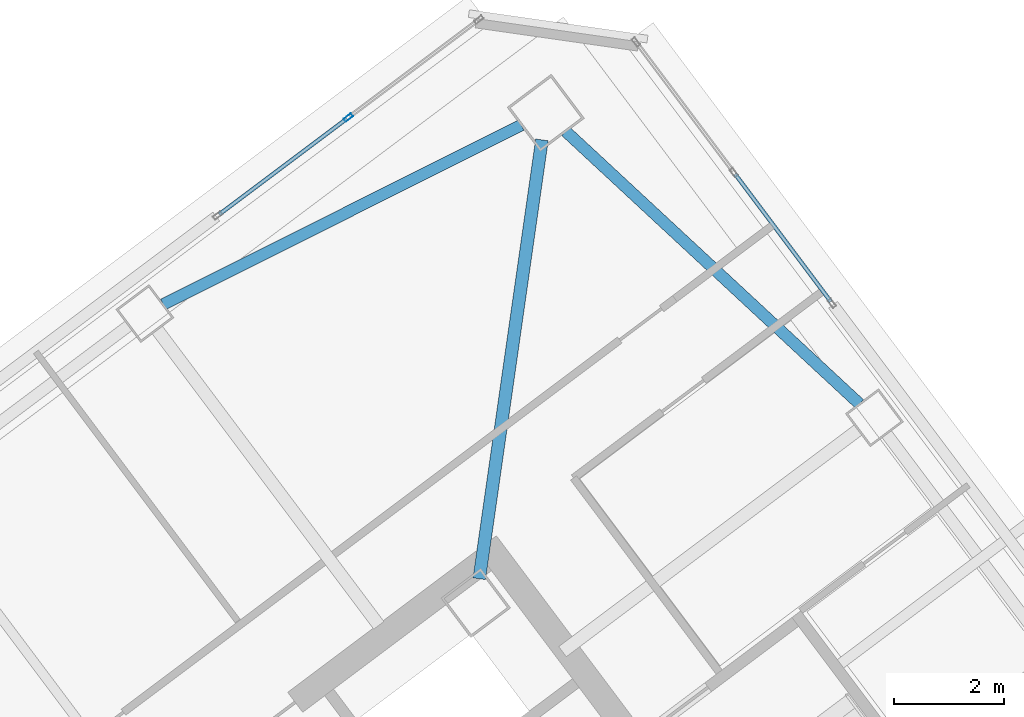
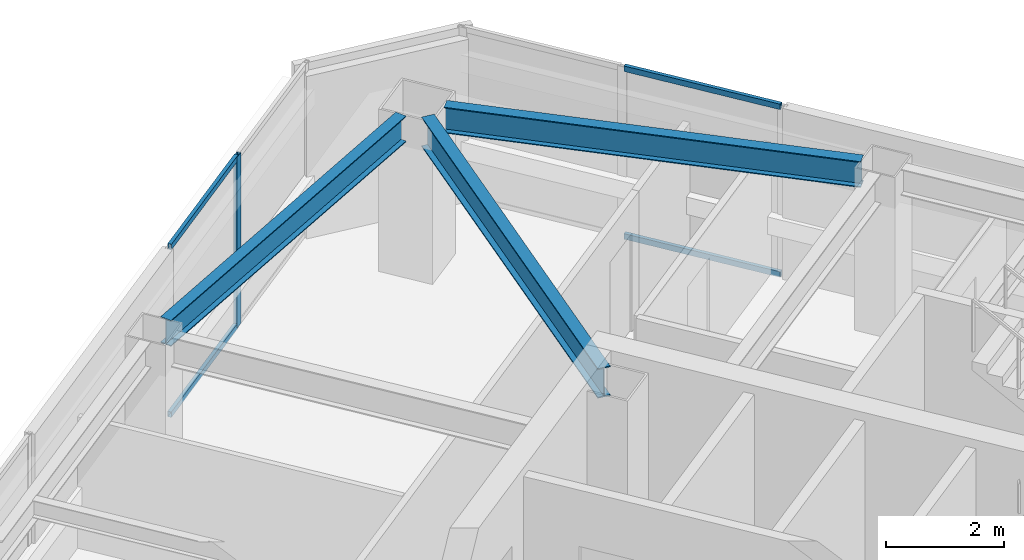
# One storey, part 30 of 44: 5 members, 3 beams, 2 elements without a shape of their own.
"""IFC4 building model written with IfcOpenShell, lengths in metres."""

from ifc_helpers import new_model, si_unit, direction, frame, origin, origin_2d, place, context, subcontext, project, spatial, hollow_rectangle, i_section, extrude, material, material_profile, profile_set, type_object, element, aggregate, save


model = new_model("IFC4")

# Units and contexts
model_context = context("Model", 3, precision=1e-05, world=origin(), true_north=direction((0.0, 1.0)))
body_context = subcontext(model_context, "Body", "Model", "MODEL_VIEW")
ifc_project = project(units=[si_unit("LENGTHUNIT", "METRE"), si_unit("AREAUNIT", "SQUARE_METRE"), si_unit("VOLUMEUNIT", "CUBIC_METRE"), si_unit("PLANEANGLEUNIT", "RADIAN"), si_unit("MASSUNIT", "GRAM", prefix="KILO")], contexts=[model_context])

# Site, building, storey
site_placement = place(None, origin())
site = spatial("IfcSite", under=ifc_project, at=site_placement, CompositionType="ELEMENT")
building_placement = place(site_placement, origin())
building = spatial("IfcBuilding", under=site, at=building_placement, Name="Tashvorn Skyway Center", CompositionType="ELEMENT")
storey_placement = place(building_placement, frame((0.0, 0.0, 211.300048828125)))
storey = spatial("IfcBuildingStorey", under=building, at=storey_placement, Name="L57", CompositionType="ELEMENT", Elevation=211.300048828125)

# Beams
ifc_material_1 = material(Name="Steel ASTM A992 Grade 50", Category="steel")
ifc_material_profile_1 = material_profile(ifc_material_1, i_section(OverallWidth=0.22998046875, OverallDepth=0.616943359375, WebThickness=0.01318359375, FlangeThickness=0.022216796875, at=origin_2d()), Name="W24X94")
ifc_profile_set_1 = profile_set([ifc_material_profile_1], Name="Steel ASTM A992 Grade 50")
beam_type_1 = type_object("IfcBeamType", Name="BM-BEAM-W24X94", PredefinedType="BEAM", material=ifc_profile_set_1)
beam_placement = place(storey_placement, frame((116.610107421875, 50.27001953125, 3.0615234375), z_axis=(-0.141438360399, -0.989947064346, 0.0), x_axis=(0.989947064346, -0.141438360399, 0.0)))
element("IfcBeam", 1, at=beam_placement, inside=storey, type_object=beam_type_1, Name="Tower 2 L57 Primary Floor Girder MC-NE", PredefinedType="BEAM", context=body_context, shape_type="SweptSolid", body=[
    extrude(i_section(OverallWidth=0.22998046875, OverallDepth=0.616943359375, WebThickness=0.01318359375, FlangeThickness=0.022216796875, at=origin_2d()), origin(), (0.0, 0.0, 1.0), 8.040283203125),
])
ifc_material_profile_2 = material_profile(ifc_material_1, i_section(OverallWidth=0.2109375, OverallDepth=0.5390625, WebThickness=0.01171875, FlangeThickness=0.018798828125, at=origin_2d()), Name="W21X73")
ifc_profile_set_2 = profile_set([ifc_material_profile_2], Name="Steel ASTM A992 Grade 50")
beam_type_2 = type_object("IfcBeamType", Name="BM-SPANDREL-W21X73", PredefinedType="SPANDREL", material=ifc_profile_set_2)
for number, where, z_axis, x_axis, name in (
    (2, (122.36865234375, 45.481689453125, 3.100341796875), (-0.733042389989, 0.680182956622, 0.0), (-0.680182956622, -0.733042389989, 0.0), "Tower 2 L57 Spandrel Beam 06"),
    (3, (116.2373046875, 50.538330078125, 3.100341796875), (-0.894178380472, -0.447710870872, 0.0), (0.447710870872, -0.894178380472, 0.0), "Tower 2 L57 Spandrel Beam 07"),
):
    element("IfcBeam", number, at=place(storey_placement, frame(where, z_axis=z_axis, x_axis=x_axis)), inside=storey, type_object=beam_type_2, Name=name, PredefinedType="SPANDREL", context=body_context, shape_type="SweptSolid", body=[
        extrude(i_section(OverallWidth=0.2109375, OverallDepth=0.5390625, WebThickness=0.01171875, FlangeThickness=0.018798828125, at=origin_2d()), origin(), (0.0, 0.0, 1.0), 7.26513671875),
    ])

# Curtain wall, members
ifc_material_2 = material(Name="Thermally broken bronze-anodized aluminium 6063-T6", Category="aluminium")
curtain_wall_type = type_object("IfcCurtainWallType", Name="CW-CW-Z5", PredefinedType="NOTDEFINED", material=ifc_material_2)
curtain_wall_1_placement = place(storey_placement, origin())
curtain_wall_1 = element("IfcCurtainWall", 4, at=curtain_wall_1_placement, inside=storey, type_object=curtain_wall_type, Name="Tower 2 L57 North Unitised Curtain Wall Glazing Group 3", PredefinedType="NOTDEFINED")
ifc_material_profile_3 = material_profile(ifc_material_2, hollow_rectangle(XDim=0.070068359375, YDim=0.1650390625, WallThickness=0.00390625, at=origin_2d()), Name="ALU-MULL-70x165")
ifc_profile_set_3 = profile_set([ifc_material_profile_3], Name="Thermally broken bronze-anodized aluminium 6063-T6")
member_type_1 = type_object("IfcMemberType", Name="CWM-CW-Z5", PredefinedType="MULLION", material=ifc_profile_set_3)
member_1_placement = place(storey_placement, frame((113.099609375, 50.674560546875, 0.0), z_axis=(0.0, 0.0, 1.0), x_axis=(-0.600002670604, 0.79999799704, 0.0)))
member_1 = element("IfcMember", 5, at=member_1_placement, type_object=member_type_1, Name="CW-Z5 mullion 2", PredefinedType="MULLION", context=body_context, shape_type="SweptSolid", body=[
    extrude(hollow_rectangle(XDim=0.070068359375, YDim=0.1650390625, WallThickness=0.00390625, at=origin_2d()), origin(), (0.0, 0.0, 1.0), 3.550048828125),
])
ifc_material_profile_4 = material_profile(ifc_material_2, hollow_rectangle(XDim=0.070068359375, YDim=0.114990234375, WallThickness=0.00390625, at=origin_2d()), Name="ALU-TRAN-70x115")
ifc_profile_set_4 = profile_set([ifc_material_profile_4], Name="Thermally broken bronze-anodized aluminium 6063-T6")
member_type_2 = type_object("IfcMemberType", Name="CWT-CW-Z5", PredefinedType="USERDEFINED", material=ifc_profile_set_4)
member_2_placement = place(storey_placement, frame((110.759033203125, 48.919189453125, 0.034912109375), z_axis=(0.8, 0.6, 0.0), x_axis=(-0.6, 0.8, 0.0)))
member_2 = element("IfcMember", 6, at=member_2_placement, type_object=member_type_2, Name="CW-Z5 transom 1.1", ObjectType="TRANSOM", PredefinedType="USERDEFINED", context=body_context, shape_type="SweptSolid", body=[
    extrude(hollow_rectangle(XDim=0.070068359375, YDim=0.114990234375, WallThickness=0.00390625, at=origin_2d()), origin(), (0.0, 0.0, 1.0), 2.890625),
])
member_3_placement = place(storey_placement, frame((110.759033203125, 48.919189453125, 3.514892578125), z_axis=(0.8, 0.6, 0.0), x_axis=(-0.6, 0.8, 0.0)))
member_3 = element("IfcMember", 7, at=member_3_placement, type_object=member_type_2, Name="CW-Z5 transom 1.2", ObjectType="TRANSOM", PredefinedType="USERDEFINED", context=body_context, shape_type="SweptSolid", body=[
    extrude(hollow_rectangle(XDim=0.070068359375, YDim=0.114990234375, WallThickness=0.00390625, at=origin_2d()), origin(), (0.0, 0.0, 1.0), 2.890625),
])
aggregate(curtain_wall_1, [member_1, member_2, member_3])

curtain_wall_2_placement = place(storey_placement, origin())
curtain_wall_2 = element("IfcCurtainWall", 8, at=curtain_wall_2_placement, inside=storey, type_object=curtain_wall_type, Name="Tower 2 L57 East Unitised Curtain Wall Glazing Group 1", PredefinedType="NOTDEFINED")
member_4_placement = place(storey_placement, frame((120.1142578125, 49.6474609375, 0.034912109375), z_axis=(0.600040542509, -0.799969591513, 0.0), x_axis=(0.799969591513, 0.600040542509, 0.0)))
member_4 = element("IfcMember", 9, at=member_4_placement, type_object=member_type_2, Name="CW-Z5 transom 2.1", ObjectType="TRANSOM", PredefinedType="USERDEFINED", context=body_context, shape_type="SweptSolid", body=[
    extrude(hollow_rectangle(XDim=0.070068359375, YDim=0.114990234375, WallThickness=0.00390625, at=origin_2d()), origin(), (0.0, 0.0, 1.0), 2.890380859375),
])
member_5_placement = place(storey_placement, frame((120.1142578125, 49.6474609375, 3.514892578125), z_axis=(0.600040542509, -0.799969591513, 0.0), x_axis=(0.799969591513, 0.600040542509, 0.0)))
member_5 = element("IfcMember", 10, at=member_5_placement, type_object=member_type_2, Name="CW-Z5 transom 2.2", ObjectType="TRANSOM", PredefinedType="USERDEFINED", context=body_context, shape_type="SweptSolid", body=[
    extrude(hollow_rectangle(XDim=0.070068359375, YDim=0.114990234375, WallThickness=0.00390625, at=origin_2d()), origin(), (0.0, 0.0, 1.0), 2.890380859375),
])
aggregate(curtain_wall_2, [member_4, member_5])

save(model, "model.ifc")
